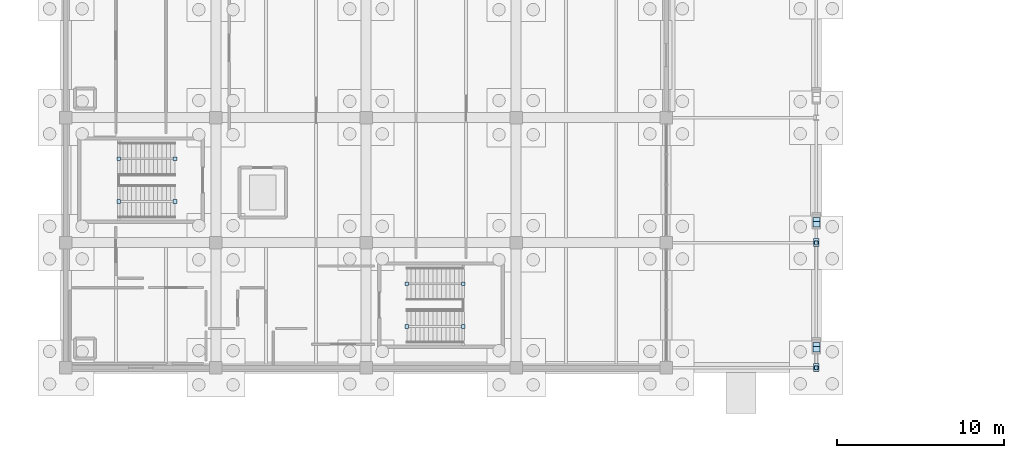
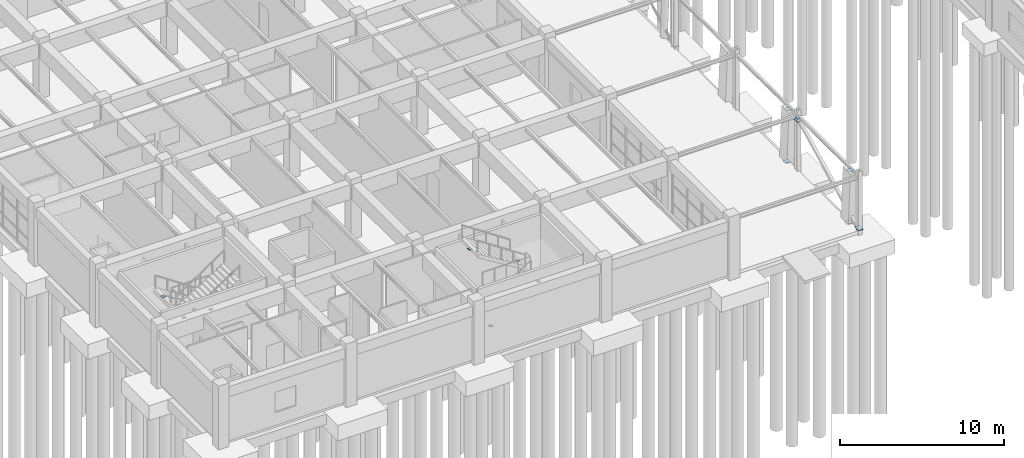
# One storey, part 54 of 93: 16 plates.
"""IFC4 building model written with IfcOpenShell, lengths in metres."""

from ifc_helpers import new_model, si_unit, direction, frame, origin, origin_2d, place, context, subcontext, project, spatial, rectangle, extrude, material, layer, layer_set, type_object, element, save


model = new_model("IFC4")

# Units and contexts
model_context = context("Model", 3, precision=1e-05, world=origin(), true_north=direction((0.0, 1.0)))
body_context = subcontext(model_context, "Body", "Model", "MODEL_VIEW")
ifc_project = project(units=[si_unit("LENGTHUNIT", "METRE"), si_unit("AREAUNIT", "SQUARE_METRE"), si_unit("VOLUMEUNIT", "CUBIC_METRE"), si_unit("PLANEANGLEUNIT", "RADIAN"), si_unit("MASSUNIT", "GRAM", prefix="KILO")], contexts=[model_context])

# Site, building, storey
site_placement = place(None, origin())
site = spatial("IfcSite", under=ifc_project, at=site_placement, CompositionType="ELEMENT")
building_placement = place(site_placement, origin())
building = spatial("IfcBuilding", under=site, at=building_placement, Name="Marnridge Secondary College", CompositionType="ELEMENT")
storey_placement = place(building_placement, origin())
storey = spatial("IfcBuildingStorey", under=building, at=storey_placement, Name="L00", CompositionType="ELEMENT", Elevation=0.0)

# Plates
ifc_material_1 = material(Name="Structural steel plate Grade 350 (AS/NZS 3678, fy = 350 MPa <=12mm, 340 MPa 12-20mm, 330 MPa 20-50mm)", Category="steel")
ifc_layer_1 = layer(ifc_material_1, 0.011962890625)
ifc_layer_set_1 = layer_set([ifc_layer_1], Name="PT-CAP-EXT")
plate_type_1 = type_object("IfcPlateType", Name="PT-CAP-EXT", PredefinedType="SHEET", material=ifc_layer_set_1)
for number, where, z_axis, x_axis, name in (
    (1, (45.0, 0.001708984375, 0.044921875), (0.0, 0.0, 1.0), (0.0, 1.0, 0.0), "Tube end cap BR-001-EC1"),
    (2, (45.0, 7.498291015625, 3.84326171875), (0.0, 0.0, 1.0), (0.0, 1.0, 0.0), "Tube end cap BR-001-EC2"),
):
    element("IfcPlate", number, at=place(storey_placement, frame(where, z_axis=z_axis, x_axis=x_axis)), inside=storey, type_object=plate_type_1, Name=name, PredefinedType="SHEET", context=body_context, shape_type="SweptSolid", body=[
        extrude(rectangle(XDim=0.219970703125, YDim=0.219970703125, at=origin_2d()), origin(), (0.0, 0.0, 1.0), 0.011962890625),
    ])
ifc_material_2 = material(Name="Structural steel plate Grade 350 (AS/NZS 3678, fy = 350 MPa <=12mm, 340 MPa 12-20mm, 330 MPa 20-50mm)", Category="steel")
ifc_layer_2 = layer(ifc_material_2, 0.010009765625)
ifc_layer_set_2 = layer_set([ifc_layer_2], Name="PT-CAP-INT")
plate_type_2 = type_object("IfcPlateType", Name="PT-CAP-INT", PredefinedType="SHEET", material=ifc_layer_set_2)
for number, where, z_axis, x_axis, name in (
    (3, (6.54833984375, 12.530029296875, 0.01123046875), (0.0, 0.0, 1.0), (-1.0, 0.0, 0.0), "Tube end cap STR-021-EC1"),
    (4, (3.171630859375, 12.530029296875, 2.1357421875), (0.0, 0.0, 1.0), (-1.0, 0.0, 0.0), "Tube end cap STR-021-EC2"),
    (5, (3.171630859375, 9.969970703125, 2.13818359375), (0.0, 0.0, 1.0), (1.0, 0.0, 0.0), "Tube end cap STR-022-EC1"),
    (6, (6.54833984375, 9.969970703125, 4.17578125), (0.0, 0.0, 1.0), (1.0, 0.0, 0.0), "Tube end cap STR-022-EC2"),
    (7, (20.45166015625, 2.469970703125, 0.01123046875), (0.0, 0.0, 1.0), (1.0, 0.0, 0.0), "Tube end cap STR-029-EC1"),
    (8, (23.828369140625, 2.469970703125, 2.1357421875), (0.0, 0.0, 1.0), (1.0, 0.0, 0.0), "Tube end cap STR-029-EC2"),
    (9, (23.828369140625, 5.030029296875, 2.13818359375), (0.0, 0.0, 1.0), (-1.0, 0.0, 0.0), "Tube end cap STR-030-EC1"),
    (10, (20.45166015625, 5.030029296875, 4.17578125), (0.0, 0.0, 1.0), (-1.0, 0.0, 0.0), "Tube end cap STR-030-EC2"),
):
    element("IfcPlate", number, at=place(storey_placement, frame(where, z_axis=z_axis, x_axis=x_axis)), inside=storey, type_object=plate_type_2, Name=name, PredefinedType="SHEET", context=body_context, shape_type="SweptSolid", body=[
        extrude(rectangle(XDim=0.219970703125, YDim=0.219970703125, at=origin_2d()), origin(), (0.0, 0.0, 1.0), 0.010009765625),
    ])
ifc_material_3 = material(Name="Structural steel plate Grade 350 (AS/NZS 3678, fy = 350 MPa <=12mm, 340 MPa 12-20mm, 330 MPa 20-50mm)", Category="steel")
ifc_layer_3 = layer(ifc_material_3, 0.02392578125)
ifc_layer_set_3 = layer_set([ifc_layer_3], Name="PT-GUS-GSN2")
plate_type_3 = type_object("IfcPlateType", Name="PT-GUS-GSN2", PredefinedType="USERDEFINED", material=ifc_layer_set_3)
for number, where, z_axis, x_axis, name in (
    (11, (45.0, 1.35009765625, -0.221923828125), (0.0, 0.0, 1.0), (1.0, 0.0, 0.0), "Pilaster bearing plate CP-0644-BP1"),
    (12, (45.0, 1.10009765625, 3.830078125), (0.0, 0.0, 1.0), (1.0, 0.0, 0.0), "Pilaster bearing plate CP-0644-BP2"),
    (13, (45.0, 8.85009765625, -0.221923828125), (0.0, 0.0, 1.0), (1.0, 0.0, 0.0), "Pilaster bearing plate CP-0645-BP1"),
    (14, (45.0, 8.60009765625, 3.830078125), (0.0, 0.0, 1.0), (1.0, 0.0, 0.0), "Pilaster bearing plate CP-0645-BP2"),
):
    element("IfcPlate", number, at=place(storey_placement, frame(where, z_axis=z_axis, x_axis=x_axis)), inside=storey, type_object=plate_type_3, Name=name, ObjectType="GUSSET PLATE", PredefinedType="USERDEFINED", context=body_context, shape_type="SweptSolid", body=[
        extrude(rectangle(XDim=0.419921875, YDim=0.320068359375, at=origin_2d()), origin(), (0.0, 0.0, 1.0), 0.02392578125),
    ])
for number, where, z_axis, x_axis, name in (
    (15, (45.0, 0.0, 0.177978515625), (0.0, 0.0, 1.0), (0.0, 1.0, 0.0), "Braced-frame gusset plate GP-051"),
    (16, (45.0, 7.5, 3.697998046875), (0.0, 0.0, 1.0), (0.0, 1.0, 0.0), "Braced-frame gusset plate GP-052"),
):
    element("IfcPlate", number, at=place(storey_placement, frame(where, z_axis=z_axis, x_axis=x_axis)), inside=storey, type_object=plate_type_3, Name=name, ObjectType="GUSSET PLATE", PredefinedType="USERDEFINED", context=body_context, shape_type="SweptSolid", body=[
        extrude(rectangle(XDim=0.47998046875, YDim=0.320068359375, at=origin_2d()), origin(), (0.0, 0.0, 1.0), 0.02392578125),
    ])

save(model, "model.ifc")
